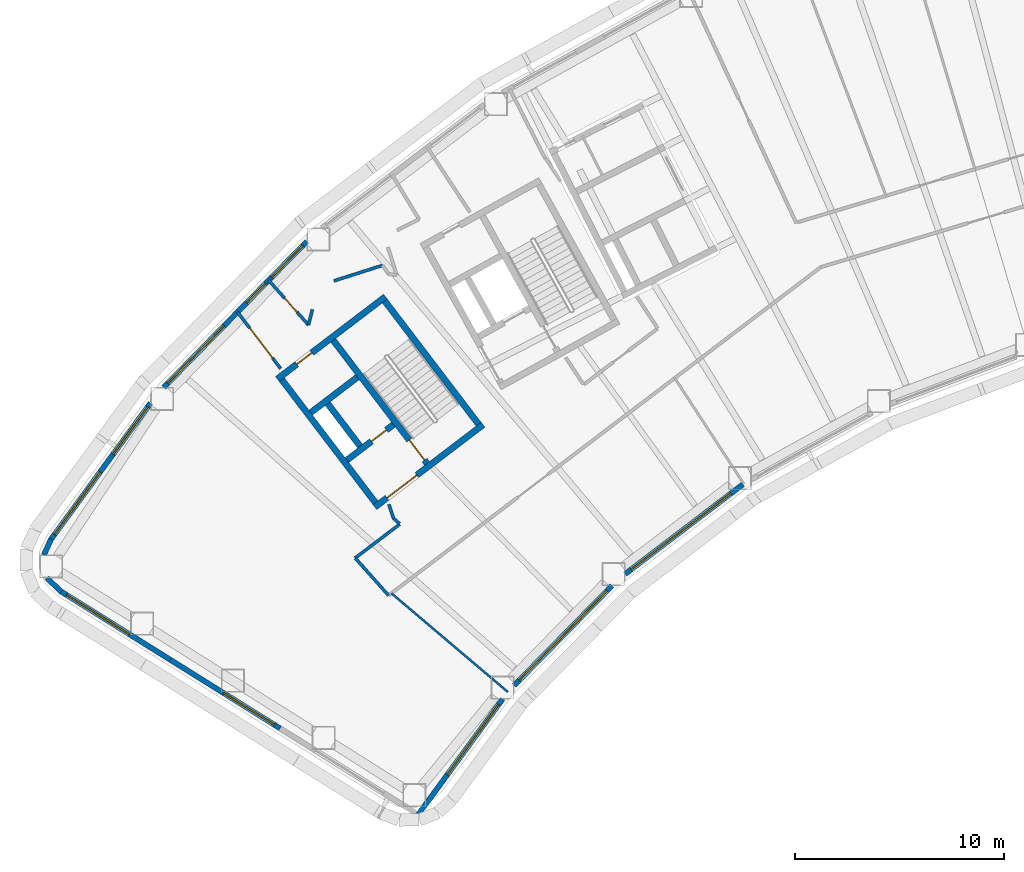
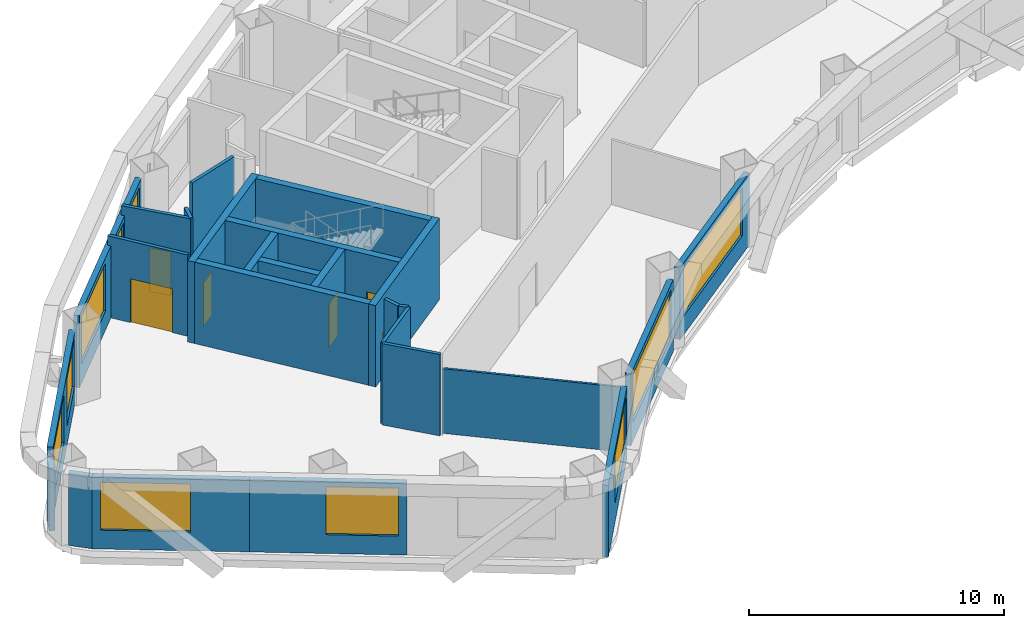
# One storey, part 3 of 16: 26 walls, 10 windows, 6 doors, 16 openings.
"""IFC4 building model written with IfcOpenShell, lengths in metres."""

import ifcopenshell
import ifcopenshell.guid

model = None  # the IFC model being written
_history = None  # IfcOwnerHistory: only IFC2X3 demands one
_inside = {}  # id of a spatial element -> (the spatial element, [elements in it])
_under = {}  # id of a project, library or spatial element -> (it, [spatial elements below it])
_declared = {}  # id of a project -> (the project, [libraries it declares])
_typed = {}  # id of a type object -> (the type object, [elements of that type])
_made_of = {}  # id of a material, layer set ... -> (it, [elements and type objects made of it])


def new_model(schema):
    """Start an empty IFC model of exactly this schema.

    Asked for "IFC4X3", IfcOpenShell would pick the latest addendum, in which some entities
    have other attributes; the version numbers below select the first issue.
    IFC2X3 requires an IfcOwnerHistory on every rooted entity: one is made here for all.
    """
    global model, _history
    if schema == "IFC4X3":
        model = ifcopenshell.file(schema_version=(4, 3, 0, 0))
    else:
        model = ifcopenshell.file(schema=schema)
    _inside.clear()
    _under.clear()
    _declared.clear()
    _typed.clear()
    _made_of.clear()
    _history = None
    if model.schema == "IFC2X3":
        org = make("IfcOrganization", Name="unknown")
        user = make(
            "IfcPersonAndOrganization",
            ThePerson=make("IfcPerson", FamilyName="unknown"),
            TheOrganization=org,
        )
        app = make(
            "IfcApplication",
            ApplicationDeveloper=org,
            Version="unknown",
            ApplicationFullName="unknown",
            ApplicationIdentifier="unknown",
        )
        _history = make(
            "IfcOwnerHistory",
            OwningUser=user,
            OwningApplication=app,
            ChangeAction="ADDED",
            CreationDate=0,
        )
    return model


def make(cls, **values):
    """One entity of the class cls with the attributes given. An attribute that is None is left unset."""
    return model.create_entity(
        cls, **{name: value for name, value in values.items() if value is not None}
    )


def rooted(cls, **values):
    """An entity with a GlobalId (a new one), such as an element, a storey or a relation."""
    return make(cls, GlobalId=ifcopenshell.guid.new(), OwnerHistory=_history, **values)


def si_unit(unit_type, name, prefix=None):
    """IfcSIUnit, for example si_unit("LENGTHUNIT", "METRE", prefix="MILLI")."""
    return make("IfcSIUnit", UnitType=unit_type, Prefix=prefix, Name=name)


def assignment(units):
    """IfcUnitAssignment: the units of a project."""
    return None if units is None else make("IfcUnitAssignment", Units=units)


def point(xyz):
    """IfcCartesianPoint."""
    return None if xyz is None else make("IfcCartesianPoint", Coordinates=xyz)


def direction(xyz):
    """IfcDirection."""
    return None if xyz is None else make("IfcDirection", DirectionRatios=xyz)


def frame(location, z_axis=None, x_axis=None):
    """IfcAxis2Placement3D, a coordinate frame: its origin and axes. An axis left out is left unset."""
    return make(
        "IfcAxis2Placement3D",
        Location=point(location),
        Axis=direction(z_axis),
        RefDirection=direction(x_axis),
    )


def frame_2d(location, x_axis=None):
    """IfcAxis2Placement2D, a coordinate frame in the plane: its origin and x axis."""
    return make(
        "IfcAxis2Placement2D", Location=point(location), RefDirection=direction(x_axis)
    )


def origin():
    """The frame at (0, 0, 0) with its axes left unset."""
    return frame((0.0, 0.0, 0.0))


def place(relative_to, where):
    """IfcLocalPlacement: puts the frame where relative to a parent placement (None: the world)."""
    return make(
        "IfcLocalPlacement", PlacementRelTo=relative_to, RelativePlacement=where
    )


def context(
    kind, dimensions, precision=None, world=None, true_north=None, identifier=None
):
    """IfcGeometricRepresentationContext, for example the 3D "Model" context."""
    return make(
        "IfcGeometricRepresentationContext",
        ContextIdentifier=identifier,
        ContextType=kind,
        CoordinateSpaceDimension=dimensions,
        Precision=precision,
        WorldCoordinateSystem=world,
        TrueNorth=true_north,
    )


def subcontext(parent, identifier, kind, view, scale=None):
    """IfcGeometricRepresentationSubContext, for example "Body" below "Model"."""
    return make(
        "IfcGeometricRepresentationSubContext",
        ContextIdentifier=identifier,
        ContextType=kind,
        ParentContext=parent,
        TargetScale=scale,
        TargetView=view,
    )


def project(units=None, contexts=None):
    """IfcProject with its units and contexts."""
    return rooted(
        "IfcProject",
        Name="project",
        RepresentationContexts=contexts,
        UnitsInContext=assignment(units),
    )


def spatial(cls, under=None, at=None, **own):
    """A site, building, storey or space (cls), placed at a placement, below another one or the project."""
    s = rooted(cls, ObjectPlacement=at, **own)
    if under is not None:
        _under.setdefault(under.id(), (under, []))[1].append(s)
    return s


def profile(cls, at=None, kind="AREA", **sizes):
    """A parametric profile (cls). Its sizes go by their IFC names, for example OverallWidth=200.0."""
    return make(cls, ProfileType=kind, Position=at, **sizes)


def rectangle(**sizes):
    """IfcRectangleProfileDef."""
    return profile("IfcRectangleProfileDef", **sizes)


def extrude(swept, where, along, depth):
    """IfcExtrudedAreaSolid: the profile swept, set in the frame where, extruded along a direction by depth."""
    return make(
        "IfcExtrudedAreaSolid",
        SweptArea=swept,
        Position=where,
        ExtrudedDirection=direction(along),
        Depth=depth,
    )


def shape(context_of_items, identifier, shape_type, items):
    """IfcShapeRepresentation: the items that make up one representation, for example the "Body"."""
    return make(
        "IfcShapeRepresentation",
        ContextOfItems=context_of_items,
        RepresentationIdentifier=identifier,
        RepresentationType=shape_type,
        Items=items,
    )


def material(Name=None, Category=None):
    """IfcMaterial."""
    return make("IfcMaterial", Name=Name, Category=Category)


def layer(
    of_material, thickness, ventilated=None, Name=None, Category=None, Priority=None
):
    """IfcMaterialLayer: one layer of a wall or slab, of a material (None: an air gap)."""
    return make(
        "IfcMaterialLayer",
        Material=of_material,
        LayerThickness=thickness,
        IsVentilated=ventilated,
        Name=Name,
        Category=Category,
        Priority=Priority,
    )


def layer_set(layers, Name=None):
    """IfcMaterialLayerSet."""
    return make("IfcMaterialLayerSet", MaterialLayers=layers, LayerSetName=Name)


def made_of(thing, what):
    """Note that an element or type object is made of a material, layer set ...; save() writes the relation."""
    if what is not None:
        _made_of.setdefault(what.id(), (what, []))[1].append(thing)
    return thing


def type_object(cls, material=None, **own):
    """A type object (cls), such as IfcWallType, which elements share."""
    return made_of(rooted(cls, **own), material)


def element(
    cls,
    number,
    at=None,
    inside=None,
    cuts=None,
    type_object=None,
    material=None,
    context=None,
    identifier="Body",
    shape_type=None,
    held_by="IfcProductDefinitionShape",
    body=None,
    shapes=None,
    **own,
):
    """One element of the class cls, such as IfcWall. Its Tag is "e" and its number.

    at: its placement. inside: the storey or other place that contains it. cuts: it is an
    opening in that element (IfcRelVoidsElement). A single representation is given by context,
    identifier, shape_type and body (its items); several are given by shapes. held_by: the class
    of the entity that holds the representations. save() writes the other relations.
    """
    e = rooted(cls, Tag="e%d" % number, ObjectPlacement=at, **own)
    if body is not None:
        shapes = [shape(context, identifier, shape_type, body)]
    if shapes is not None:
        e.Representation = make(held_by, Representations=shapes)
    if inside is not None:
        _inside.setdefault(inside.id(), (inside, []))[1].append(e)
    if cuts is not None:
        rooted(
            "IfcRelVoidsElement", RelatingBuildingElement=cuts, RelatedOpeningElement=e
        )
    if type_object is not None:
        _typed.setdefault(type_object.id(), (type_object, []))[1].append(e)
    return made_of(e, material)


def fill(opening, filler):
    """IfcRelFillsElement: the door or window that sits in an opening."""
    return rooted(
        "IfcRelFillsElement",
        RelatingOpeningElement=opening,
        RelatedBuildingElement=filler,
    )


def aggregate(whole, parts):
    """IfcRelAggregates: a whole, such as a stair, and the parts it consists of."""
    return rooted("IfcRelAggregates", RelatingObject=whole, RelatedObjects=parts)


def save(model, path):
    """Write the relations noted so far, then the file.

    IfcRelAggregates (storeys below a building ...), IfcRelContainedInSpatialStructure (elements
    in a storey), IfcRelDefinesByType, IfcRelAssociatesMaterial and IfcRelDeclares: one each for
    every whole, place, type object, material and project.
    """
    for whole, parts in _under.values():
        aggregate(whole, parts)
    for where, things in _inside.values():
        rooted(
            "IfcRelContainedInSpatialStructure",
            RelatedElements=things,
            RelatingStructure=where,
        )
    for kind, things in _typed.values():
        rooted("IfcRelDefinesByType", RelatedObjects=things, RelatingType=kind)
    for what, things in _made_of.values():
        rooted("IfcRelAssociatesMaterial", RelatedObjects=things, RelatingMaterial=what)
    for by, libraries in _declared.values():
        rooted("IfcRelDeclares", RelatingContext=by, RelatedDefinitions=libraries)
    model.write(path)


model = new_model("IFC4")

# Units and contexts
model_context = context("Model", 3, precision=1e-05, world=origin(), true_north=direction((0.0, 1.0)))
body_context = subcontext(model_context, "Body", "Model", "MODEL_VIEW")
ifc_project = project(units=[si_unit("LENGTHUNIT", "METRE"), si_unit("AREAUNIT", "SQUARE_METRE"), si_unit("VOLUMEUNIT", "CUBIC_METRE"), si_unit("PLANEANGLEUNIT", "RADIAN"), si_unit("MASSUNIT", "GRAM", prefix="KILO")], contexts=[model_context])

# Site, building, storey
site_placement = place(None, origin())
site = spatial("IfcSite", under=ifc_project, at=site_placement, CompositionType="ELEMENT")
building_placement = place(site_placement, origin())
building = spatial("IfcBuilding", under=site, at=building_placement, Name="Tuul Gate Civic Tower", CompositionType="ELEMENT")
storey_placement = place(building_placement, frame((0.0, 0.0, 124.5)))
storey = spatial("IfcBuildingStorey", under=building, at=storey_placement, Name="Level 28", CompositionType="ELEMENT", Elevation=124.5)

# Wall, opening, door
ifc_material_1 = material(Name="Concrete C50/60", Category="concrete")
ifc_layer_1 = layer(ifc_material_1, 0.300048828125)
ifc_layer_set_1 = layer_set([ifc_layer_1], Name="Concrete C50/60")
wall_type_1 = type_object("IfcWallType", Name="Core wall C50/60", PredefinedType="SHEAR", material=ifc_layer_set_1)
wall_1_placement = place(storey_placement, frame((-31.19091796875, -13.669677734375, 0.0), z_axis=(0.0, 0.0, 1.0), x_axis=(-0.795606717756, -0.605813461934, 0.0)))
wall_1 = element("IfcWall", 1, at=wall_1_placement, inside=storey, type_object=wall_type_1, Name="Core wall", PredefinedType="SHEAR", context=body_context, shape_type="SweptSolid", body=[
    extrude(rectangle(XDim=6.5, YDim=0.300048828125, at=frame_2d((3.25, 0.0))), origin(), (0.0, 0.0, 1.0), 3.89990234375),
])
opening_1_placement = place(wall_1_placement, frame((3.97509765625, 0.0, 0.0)))
opening_1 = element("IfcOpeningElement", 2, at=opening_1_placement, cuts=wall_1, Name="Opening LB-W1-LOBBY-1", PredefinedType="OPENING", context=body_context, shape_type="SweptSolid", body=[
    extrude(rectangle(XDim=1.800048828125, YDim=2.10009765625, at=frame_2d((0.89990234375, 1.050048828125))), frame((0.0, 0.16015625, 0.0), z_axis=(0.0, -1.0, 0.0), x_axis=(1.0, 0.0, 0.0)), (0.0, 0.0, 1.0), 0.320068359375),
])
ifc_material_2 = material(Name="Steel", Category="steel")
door_type_1 = type_object("IfcDoorType", Name="Lobby door", OperationType="DOUBLE_DOOR_SINGLE_SWING", PredefinedType="DOOR", material=ifc_material_2)
door_1_placement = place(opening_1_placement, origin())
door_1 = element("IfcDoor", 3, at=door_1_placement, inside=storey, type_object=door_type_1, Name="Lobby door W1-LOBBY", OperationType="DOUBLE_DOOR_SINGLE_SWING", OverallHeight=2.10009765625, OverallWidth=1.800048828125, PredefinedType="DOOR", context=body_context, shape_type="SweptSolid", body=[
    extrude(rectangle(XDim=1.800048828125, YDim=2.10009765625, at=frame_2d((0.89990234375, 1.050048828125))), frame((0.0, 0.02490234375, 0.0), z_axis=(0.0, -1.0, 0.0), x_axis=(1.0, 0.0, 0.0)), (0.0, 0.0, 1.0), 0.050048828125),
])
fill(opening_1, door_1)

wall_2_placement = place(storey_placement, frame((-35.470947265625, -13.66064453125, 0.0), z_axis=(0.0, 0.0, 1.0), x_axis=(-0.795615822227, -0.605801504968, 0.0)))
wall_2 = element("IfcWall", 4, at=wall_2_placement, inside=storey, type_object=wall_type_1, Name="Core wall", PredefinedType="SHEAR", context=body_context, shape_type="SweptSolid", body=[
    extrude(rectangle(XDim=2.800048828125, YDim=0.300048828125, at=frame_2d((1.39990234375, 0.0))), origin(), (0.0, 0.0, 1.0), 3.89990234375),
])
opening_2_placement = place(wall_2_placement, frame((0.425048828125, 0.0, 0.0)))
opening_2 = element("IfcOpeningElement", 5, at=opening_2_placement, cuts=wall_2, Name="Opening FB-W1A1", PredefinedType="OPENING", context=body_context, shape_type="SweptSolid", body=[
    extrude(rectangle(XDim=0.89990234375, YDim=2.10009765625, at=frame_2d((0.449951171875, 1.050048828125))), frame((0.0, 0.16015625, 0.0), z_axis=(0.0, -1.0, 0.0), x_axis=(1.0, 0.0, 0.0)), (0.0, 0.0, 1.0), 0.320068359375),
])
ifc_material_3 = material(Name="Steel", Category="steel")
door_type_2 = type_object("IfcDoorType", Name="Store door", OperationType="NOTDEFINED", PredefinedType="DOOR", material=ifc_material_3)
door_2_placement = place(opening_2_placement, frame((0.89990234375, 0.0, 0.0), z_axis=(0.0, 0.0, 1.0), x_axis=(-1.0, 0.0, 0.0)))
door_2 = element("IfcDoor", 6, at=door_2_placement, inside=storey, type_object=door_type_2, Name="Store door W1A1", OperationType="SINGLE_SWING_RIGHT", OverallHeight=2.10009765625, OverallWidth=0.89990234375, PredefinedType="DOOR", context=body_context, shape_type="SweptSolid", body=[
    extrude(rectangle(XDim=0.89990234375, YDim=2.10009765625, at=frame_2d((0.449951171875, 1.050048828125))), frame((0.0, 0.02490234375, 0.0), z_axis=(0.0, -1.0, 0.0), x_axis=(1.0, 0.0, 0.0)), (0.0, 0.0, 1.0), 0.050048828125),
])
fill(opening_2, door_2)

# Wall
wall_3_placement = place(storey_placement, frame((-37.197509765625, -11.39306640625, 0.0), z_axis=(0.0, 0.0, 1.0), x_axis=(-0.795583820278, -0.605843531707, 0.0)))
element("IfcWall", 7, at=wall_3_placement, inside=storey, type_object=wall_type_1, Name="Core wall", PredefinedType="SHEAR", context=body_context, shape_type="SweptSolid", body=[
    extrude(rectangle(XDim=2.7998046875, YDim=0.300048828125, at=frame_2d((1.39990234375, 0.0))), origin(), (0.0, 0.0, 1.0), 3.89990234375),
])

# Wall, opening, door
wall_4_placement = place(storey_placement, frame((-35.855224609375, -7.543212890625, 0.0), z_axis=(0.0, 0.0, 1.0), x_axis=(-0.79563860527, -0.605771582202, 0.0)))
wall_4 = element("IfcWall", 8, at=wall_4_placement, inside=storey, type_object=wall_type_1, Name="Core wall", PredefinedType="SHEAR", context=body_context, shape_type="SweptSolid", body=[
    extrude(rectangle(XDim=6.5, YDim=0.300048828125, at=frame_2d((3.25, 0.0))), origin(), (0.0, 0.0, 1.0), 3.89990234375),
])
opening_3_placement = place(wall_4_placement, frame((4.425048828125, 0.0, 0.0)))
opening_3 = element("IfcOpeningElement", 9, at=opening_3_placement, cuts=wall_4, Name="Opening I-D26", PredefinedType="OPENING", context=body_context, shape_type="SweptSolid", body=[
    extrude(rectangle(XDim=0.89990234375, YDim=2.10009765625, at=frame_2d((0.449951171875, 1.050048828125))), frame((0.0, 0.16015625, 0.0), z_axis=(0.0, -1.0, 0.0), x_axis=(1.0, 0.0, 0.0)), (0.0, 0.0, 1.0), 0.320068359375),
])
ifc_material_4 = material(Name="Timber door leaf", Category="wood")
door_type_3 = type_object("IfcDoorType", Name="Door D09", OperationType="NOTDEFINED", PredefinedType="DOOR", material=ifc_material_4)
door_3_placement = place(opening_3_placement, origin())
door_3 = element("IfcDoor", 10, at=door_3_placement, inside=storey, type_object=door_type_3, Name="Door I-D26", OperationType="SINGLE_SWING_LEFT", OverallHeight=2.10009765625, OverallWidth=0.89990234375, PredefinedType="DOOR", context=body_context, shape_type="SweptSolid", body=[
    extrude(rectangle(XDim=0.89990234375, YDim=2.10009765625, at=frame_2d((0.449951171875, 1.050048828125))), frame((0.0, 0.02490234375, 0.0), z_axis=(0.0, -1.0, 0.0), x_axis=(1.0, 0.0, 0.0)), (0.0, 0.0, 1.0), 0.050048828125),
])
fill(opening_3, door_3)

# Wall
wall_5_placement = place(storey_placement, frame((-31.401123046875, -13.64111328125, 0.0), z_axis=(0.0, 0.0, 1.0), x_axis=(-0.605769822278, 0.795639945213, 0.0)))
element("IfcWall", 11, at=wall_5_placement, inside=storey, type_object=wall_type_1, Name="Core wall", PredefinedType="SHEAR", context=body_context, shape_type="SweptSolid", body=[
    extrude(rectangle(XDim=7.39990234375, YDim=0.300048828125, at=frame_2d((3.699951171875, 0.0))), origin(), (0.0, 0.0, 1.0), 3.89990234375),
])

# Wall, opening, door
wall_6_placement = place(storey_placement, frame((-33.867431640625, -15.51904296875, 0.0), z_axis=(0.0, 0.0, 1.0), x_axis=(-0.605769822278, 0.795639945213, 0.0)))
wall_6 = element("IfcWall", 12, at=wall_6_placement, inside=storey, type_object=wall_type_1, Name="Core wall", PredefinedType="SHEAR", context=body_context, shape_type="SweptSolid", body=[
    extrude(rectangle(XDim=7.39990234375, YDim=0.300048828125, at=frame_2d((3.699951171875, 0.0))), origin(), (0.0, 0.0, 1.0), 3.89990234375),
])
opening_4_placement = place(wall_6_placement, frame((0.199951171875, 0.0, 0.0)))
opening_4 = element("IfcOpeningElement", 13, at=opening_4_placement, cuts=wall_6, Name="Opening SD-ST-1", PredefinedType="OPENING", context=body_context, shape_type="SweptSolid", body=[
    extrude(rectangle(XDim=1.199951171875, YDim=2.10009765625, at=frame_2d((0.60009765625, 1.050048828125))), frame((0.0, 0.16015625, 0.0), z_axis=(0.0, -1.0, 0.0), x_axis=(1.0, 0.0, 0.0)), (0.0, 0.0, 1.0), 0.320068359375),
])
ifc_material_5 = material(Name="Steel", Category="steel")
door_type_4 = type_object("IfcDoorType", Name="Stair door", OperationType="NOTDEFINED", PredefinedType="DOOR", material=ifc_material_5)
door_4_placement = place(opening_4_placement, origin())
door_4 = element("IfcDoor", 14, at=door_4_placement, inside=storey, type_object=door_type_4, Name="Stair door ST-1", OperationType="SINGLE_SWING_LEFT", OverallHeight=2.10009765625, OverallWidth=1.199951171875, PredefinedType="DOOR", context=body_context, shape_type="SweptSolid", body=[
    extrude(rectangle(XDim=1.199951171875, YDim=2.10009765625, at=frame_2d((0.60009765625, 1.050048828125))), frame((0.0, 0.02490234375, 0.0), z_axis=(0.0, -1.0, 0.0), x_axis=(1.0, 0.0, 0.0)), (0.0, 0.0, 1.0), 0.050048828125),
])
fill(opening_4, door_4)

# Walls
wall_7_placement = place(storey_placement, frame((-37.073486328125, -14.6923828125, 0.0), z_axis=(0.0, 0.0, 1.0), x_axis=(-0.605728760074, 0.79567120673, 0.0)))
element("IfcWall", 15, at=wall_7_placement, inside=storey, type_object=wall_type_1, Name="Core wall", PredefinedType="SHEAR", context=body_context, shape_type="SweptSolid", body=[
    extrude(rectangle(XDim=2.550048828125, YDim=0.300048828125, at=frame_2d((1.27490234375, 0.0))), origin(), (0.0, 0.0, 1.0), 3.89990234375),
])
wall_8_placement = place(storey_placement, frame((-36.333984375, -17.397216796875, 0.0), z_axis=(0.0, 0.0, 1.0), x_axis=(-0.605753921168, 0.795652051458, 0.0)))
element("IfcWall", 16, at=wall_8_placement, inside=storey, type_object=wall_type_1, Name="Core wall", PredefinedType="SHEAR", context=body_context, shape_type="SweptSolid", body=[
    extrude(rectangle(XDim=7.400146484375, YDim=0.300048828125, at=frame_2d((3.7001953125, 0.0))), origin(), (0.0, 0.0, 1.0), 3.89990234375),
])
ifc_material_6 = material(Name="Gypsum board partition")
ifc_layer_2 = layer(ifc_material_6, 0.14990234375)
ifc_layer_set_2 = layer_set([ifc_layer_2], Name="Gypsum board partition")
wall_type_2 = type_object("IfcWallType", Name="Corridor wall P150", PredefinedType="PARTITIONING", material=ifc_layer_set_2)
wall_9_placement = place(storey_placement, frame((-37.302978515625, -20.042236328125, 0.0), z_axis=(0.0, 0.0, 1.0), x_axis=(0.796666926705, 0.604418570111, 0.0)))
element("IfcWall", 17, at=wall_9_placement, inside=storey, type_object=wall_type_2, Name="p071", PredefinedType="PARTITIONING", context=body_context, shape_type="SweptSolid", body=[
    extrude(rectangle(XDim=2.664306640625, YDim=0.14990234375, at=frame_2d((1.33203125, 0.0))), origin(), (0.0, 0.0, 1.0), 3.89990234375),
])
wall_10_placement = place(storey_placement, frame((-38.320556640625, -6.78662109375, 0.0), z_axis=(0.0, 0.0, 1.0), x_axis=(0.952869256912, 0.303381244036, 0.0)))
element("IfcWall", 18, at=wall_10_placement, inside=storey, type_object=wall_type_2, Name="p084", PredefinedType="PARTITIONING", context=body_context, shape_type="SweptSolid", body=[
    extrude(rectangle(XDim=2.43994140625, YDim=0.14990234375, at=frame_2d((1.219970703125, 0.0))), origin(), (0.0, 0.0, 1.0), 3.89990234375),
])
wall_11_placement = place(storey_placement, frame((-39.53515625, -8.898193359375, 0.0), z_axis=(0.0, 0.0, 1.0), x_axis=(0.240964531044, 0.970533922529, 0.0)))
element("IfcWall", 19, at=wall_11_placement, inside=storey, type_object=wall_type_2, Name="p085", PredefinedType="PARTITIONING", context=body_context, shape_type="SweptSolid", body=[
    extrude(rectangle(XDim=0.76806640625, YDim=0.14990234375, at=frame_2d((0.384033203125, 0.0))), origin(), (0.0, 0.0, 1.0), 3.89990234375),
])

# Wall, opening, door
wall_12_placement = place(storey_placement, frame((-41.444091796875, -6.75634765625, 0.0), z_axis=(0.0, 0.0, 1.0), x_axis=(0.665350937414, -0.746530729496, 0.0)))
wall_12 = element("IfcWall", 20, at=wall_12_placement, inside=storey, type_object=wall_type_2, Name="p086", PredefinedType="PARTITIONING", context=body_context, shape_type="SweptSolid", body=[
    extrude(rectangle(XDim=2.869140625, YDim=0.14990234375, at=frame_2d((1.4345703125, 0.0))), origin(), (0.0, 0.0, 1.0), 3.89990234375),
])
opening_5_placement = place(wall_12_placement, frame((1.14990234375, 0.0, 0.0)))
opening_5 = element("IfcOpeningElement", 21, at=opening_5_placement, cuts=wall_12, Name="Opening I-D18", PredefinedType="OPENING", context=body_context, shape_type="SweptSolid", body=[
    extrude(rectangle(XDim=0.89990234375, YDim=2.10009765625, at=frame_2d((0.449951171875, 1.050048828125))), frame((0.0, 0.0849609375, 0.0), z_axis=(0.0, -1.0, 0.0), x_axis=(1.0, 0.0, 0.0)), (0.0, 0.0, 1.0), 0.169921875),
])
door_5_placement = place(opening_5_placement, origin())
door_5 = element("IfcDoor", 22, at=door_5_placement, inside=storey, type_object=door_type_3, Name="Door I-D18", OperationType="SINGLE_SWING_RIGHT", OverallHeight=2.10009765625, OverallWidth=0.89990234375, PredefinedType="DOOR", context=body_context, shape_type="SweptSolid", body=[
    extrude(rectangle(XDim=0.89990234375, YDim=2.10009765625, at=frame_2d((0.449951171875, 1.050048828125))), frame((0.0, 0.02490234375, 0.0), z_axis=(0.0, -1.0, 0.0), x_axis=(1.0, 0.0, 0.0)), (0.0, 0.0, 1.0), 0.050048828125),
])
fill(opening_5, door_5)

wall_13_placement = place(storey_placement, frame((-42.93359375, -8.276123046875, 0.0), z_axis=(0.0, 0.0, 1.0), x_axis=(0.606142580902, -0.795356003069, 0.0)))
wall_13 = element("IfcWall", 23, at=wall_13_placement, inside=storey, type_object=wall_type_2, Name="p088", PredefinedType="PARTITIONING", context=body_context, shape_type="SweptSolid", body=[
    extrude(rectangle(XDim=3.405029296875, YDim=0.14990234375, at=frame_2d((1.70263671875, 0.0))), origin(), (0.0, 0.0, 1.0), 3.89990234375),
])
opening_6_placement = place(wall_13_placement, frame((0.96923828125, 0.0, 0.0)))
opening_6 = element("IfcOpeningElement", 24, at=opening_6_placement, cuts=wall_13, Name="Opening I-D19", PredefinedType="OPENING", context=body_context, shape_type="SweptSolid", body=[
    extrude(rectangle(XDim=1.800048828125, YDim=2.10009765625, at=frame_2d((0.89990234375, 1.050048828125))), frame((0.0, 0.0849609375, 0.0), z_axis=(0.0, -1.0, 0.0), x_axis=(1.0, 0.0, 0.0)), (0.0, 0.0, 1.0), 0.169921875),
])
ifc_material_7 = material(Name="Timber door leaf, double", Category="wood")
door_type_5 = type_object("IfcDoorType", Name="Door D18", OperationType="DOUBLE_DOOR_SINGLE_SWING", PredefinedType="DOOR", material=ifc_material_7)
door_6_placement = place(opening_6_placement, frame((1.800048828125, 0.0, 0.0), z_axis=(0.0, 0.0, 1.0), x_axis=(-1.0, 0.0, 0.0)))
door_6 = element("IfcDoor", 25, at=door_6_placement, inside=storey, type_object=door_type_5, Name="Door I-D19", OperationType="DOUBLE_DOOR_SINGLE_SWING", OverallHeight=2.10009765625, OverallWidth=1.800048828125, PredefinedType="DOOR", context=body_context, shape_type="SweptSolid", body=[
    extrude(rectangle(XDim=1.800048828125, YDim=2.10009765625, at=frame_2d((0.900146484375, 1.050048828125))), frame((0.0, 0.02490234375, 0.0), z_axis=(0.0, -1.0, 0.0), x_axis=(1.0, 0.0, 0.0)), (0.0, 0.0, 1.0), 0.050048828125),
])
fill(opening_6, door_6)

# Walls
wall_14_placement = place(storey_placement, frame((-35.6953125, -17.4765625, 0.0), z_axis=(0.0, 0.0, 1.0), x_axis=(0.32338228212, -0.946268407806, 0.0)))
element("IfcWall", 26, at=wall_14_placement, inside=storey, type_object=wall_type_2, Name="p089", PredefinedType="PARTITIONING", context=body_context, shape_type="SweptSolid", body=[
    extrude(rectangle(XDim=0.7158203125, YDim=0.14990234375, at=frame_2d((0.35791015625, 0.0))), origin(), (0.0, 0.0, 1.0), 3.89990234375),
])
wall_15_placement = place(storey_placement, frame((-35.4638671875, -18.15380859375, 0.0), z_axis=(0.0, 0.0, 1.0), x_axis=(0.756501971182, -0.65399141248, 0.0)))
element("IfcWall", 27, at=wall_15_placement, inside=storey, type_object=wall_type_2, Name="p090", PredefinedType="PARTITIONING", context=body_context, shape_type="SweptSolid", body=[
    extrude(rectangle(XDim=0.376220703125, YDim=0.14990234375, at=frame_2d((0.18798828125, 0.0))), origin(), (0.0, 0.0, 1.0), 3.89990234375),
])
wall_16_placement = place(storey_placement, frame((-37.302978515625, -20.042236328125, 0.0), z_axis=(0.0, 0.0, 1.0), x_axis=(0.665190574905, -0.746673622848, 0.0)))
element("IfcWall", 28, at=wall_16_placement, inside=storey, type_object=wall_type_2, Name="p091", PredefinedType="PARTITIONING", context=body_context, shape_type="SweptSolid", body=[
    extrude(rectangle(XDim=2.39990234375, YDim=0.14990234375, at=frame_2d((1.199951171875, 0.0))), origin(), (0.0, 0.0, 1.0), 3.89990234375),
])

# Wall, openings, windows
ifc_material_8 = material(Name="Precast concrete C40/50", Category="concrete")
ifc_layer_3 = layer(ifc_material_8, 0.25)
ifc_layer_set_3 = layer_set([ifc_layer_3], Name="Precast concrete C40/50")
wall_type_3 = type_object("IfcWallType", Name="External wall", PredefinedType="STANDARD", material=ifc_layer_set_3)
wall_17_placement = place(storey_placement, frame((-39.618896484375, -4.901611328125, 0.0), z_axis=(0.0, 0.0, 1.0), x_axis=(-0.699999704783, -0.714143132224, 0.0)))
wall_17 = element("IfcWall", 29, at=wall_17_placement, inside=storey, type_object=wall_type_3, Name="External wall", PredefinedType="STANDARD", context=body_context, shape_type="SweptSolid", body=[
    extrude(rectangle(XDim=9.770263671875, YDim=0.25, at=frame_2d((4.88525390625, 0.0))), origin(), (0.0, 0.0, 1.0), 3.449951171875),
])
opening_7_placement = place(wall_17_placement, frame((5.64453125, 0.0, 0.89990234375)))
opening_7 = element("IfcOpeningElement", 30, at=opening_7_placement, cuts=wall_17, Name="Opening W22", PredefinedType="OPENING", context=body_context, shape_type="SweptSolid", body=[
    extrude(rectangle(XDim=3.85009765625, YDim=2.300048828125, at=frame_2d((1.925048828125, 1.14990234375))), frame((0.0, 0.135009765625, 0.0), z_axis=(0.0, -1.0, 0.0), x_axis=(1.0, 0.0, 0.0)), (0.0, 0.0, 1.0), 0.27001953125),
])
opening_8_placement = place(wall_17_placement, frame((0.28759765625, 0.0, 0.89990234375)))
opening_8 = element("IfcOpeningElement", 31, at=opening_8_placement, cuts=wall_17, Name="Opening W40", PredefinedType="OPENING", context=body_context, shape_type="SweptSolid", body=[
    extrude(rectangle(XDim=2.10009765625, YDim=2.300048828125, at=frame_2d((1.050048828125, 1.14990234375))), frame((0.0, 0.135009765625, 0.0), z_axis=(0.0, -1.0, 0.0), x_axis=(1.0, 0.0, 0.0)), (0.0, 0.0, 1.0), 0.27001953125),
])
opening_9_placement = place(wall_17_placement, frame((2.8125, 0.0, 0.89990234375)))
opening_9 = element("IfcOpeningElement", 32, at=opening_9_placement, cuts=wall_17, Name="Opening W41", PredefinedType="OPENING", context=body_context, shape_type="SweptSolid", body=[
    extrude(rectangle(XDim=1.300048828125, YDim=2.300048828125, at=frame_2d((0.64990234375, 1.14990234375))), frame((0.0, 0.135009765625, 0.0), z_axis=(0.0, -1.0, 0.0), x_axis=(1.0, 0.0, 0.0)), (0.0, 0.0, 1.0), 0.27001953125),
])
ifc_material_9 = material(Name="Glass", Category="glass")
window_type_1 = type_object("IfcWindowType", Name="Window 1300 x 2300", PartitioningType="SINGLE_PANEL", PredefinedType="WINDOW", material=ifc_material_9)
window_1_placement = place(opening_9_placement, origin())
window_1 = element("IfcWindow", 33, at=window_1_placement, inside=storey, type_object=window_type_1, Name="Window", OverallHeight=2.300048828125, OverallWidth=1.300048828125, PartitioningType="SINGLE_PANEL", PredefinedType="WINDOW", context=body_context, shape_type="SweptSolid", body=[
    extrude(rectangle(XDim=1.300048828125, YDim=2.300048828125, at=frame_2d((0.64990234375, 1.14990234375))), frame((0.0, 0.030029296875, 0.0), z_axis=(0.0, -1.0, 0.0), x_axis=(1.0, 0.0, 0.0)), (0.0, 0.0, 1.0), 0.06005859375),
])
fill(opening_9, window_1)
ifc_material_10 = material(Name="Glass", Category="glass")
window_type_2 = type_object("IfcWindowType", Name="Window 2100 x 2300", PartitioningType="SINGLE_PANEL", PredefinedType="WINDOW", material=ifc_material_10)
window_2_placement = place(opening_8_placement, origin())
window_2 = element("IfcWindow", 34, at=window_2_placement, inside=storey, type_object=window_type_2, Name="Window", OverallHeight=2.300048828125, OverallWidth=2.10009765625, PartitioningType="SINGLE_PANEL", PredefinedType="WINDOW", context=body_context, shape_type="SweptSolid", body=[
    extrude(rectangle(XDim=2.10009765625, YDim=2.300048828125, at=frame_2d((1.050048828125, 1.14990234375))), frame((0.0, 0.030029296875, 0.0), z_axis=(0.0, -1.0, 0.0), x_axis=(1.0, 0.0, 0.0)), (0.0, 0.0, 1.0), 0.06005859375),
])
fill(opening_8, window_2)
ifc_material_11 = material(Name="Glass", Category="glass")
window_type_3 = type_object("IfcWindowType", Name="Window W22 3850 x 2300", PartitioningType="SINGLE_PANEL", PredefinedType="WINDOW", material=ifc_material_11)
window_3_placement = place(opening_7_placement, origin())
window_3 = element("IfcWindow", 35, at=window_3_placement, inside=storey, type_object=window_type_3, Name="Window", OverallHeight=2.300048828125, OverallWidth=3.85009765625, PartitioningType="SINGLE_PANEL", PredefinedType="WINDOW", context=body_context, shape_type="SweptSolid", body=[
    extrude(rectangle(XDim=3.85009765625, YDim=2.300048828125, at=frame_2d((1.925048828125, 1.14990234375))), frame((0.0, 0.030029296875, 0.0), z_axis=(0.0, -1.0, 0.0), x_axis=(1.0, 0.0, 0.0)), (0.0, 0.0, 1.0), 0.06005859375),
])
fill(opening_7, window_3)

wall_18_placement = place(storey_placement, frame((-47.093017578125, -12.6318359375, 0.0), z_axis=(0.0, 0.0, 1.0), x_axis=(-0.589890871529, -0.807482977955, 0.0)))
wall_18 = element("IfcWall", 36, at=wall_18_placement, inside=storey, type_object=wall_type_3, Name="External wall", PredefinedType="STANDARD", context=body_context, shape_type="SweptSolid", body=[
    extrude(rectangle(XDim=8.0830078125, YDim=0.25, at=frame_2d((4.04150390625, 0.0))), origin(), (0.0, 0.0, 1.0), 3.449951171875),
])
opening_10_placement = place(wall_18_placement, frame((0.23046875, 0.0, 0.89990234375)))
opening_10 = element("IfcOpeningElement", 37, at=opening_10_placement, cuts=wall_18, Name="Opening W23", PredefinedType="OPENING", context=body_context, shape_type="SweptSolid", body=[
    extrude(rectangle(XDim=2.800048828125, YDim=2.300048828125, at=frame_2d((1.39990234375, 1.14990234375))), frame((0.0, 0.135009765625, 0.0), z_axis=(0.0, -1.0, 0.0), x_axis=(1.0, 0.0, 0.0)), (0.0, 0.0, 1.0), 0.27001953125),
])
opening_11_placement = place(wall_18_placement, frame((4.08203125, 0.0, 0.89990234375)))
opening_11 = element("IfcOpeningElement", 38, at=opening_11_placement, cuts=wall_18, Name="Opening W21", PredefinedType="OPENING", context=body_context, shape_type="SweptSolid", body=[
    extrude(rectangle(XDim=3.699951171875, YDim=2.300048828125, at=frame_2d((1.85009765625, 1.14990234375))), frame((0.0, 0.135009765625, 0.0), z_axis=(0.0, -1.0, 0.0), x_axis=(1.0, 0.0, 0.0)), (0.0, 0.0, 1.0), 0.27001953125),
])
ifc_material_12 = material(Name="Glass", Category="glass")
window_type_4 = type_object("IfcWindowType", Name="Window W21 3700 x 2300", PartitioningType="SINGLE_PANEL", PredefinedType="WINDOW", material=ifc_material_12)
window_4_placement = place(opening_11_placement, origin())
window_4 = element("IfcWindow", 39, at=window_4_placement, inside=storey, type_object=window_type_4, Name="Window", OverallHeight=2.300048828125, OverallWidth=3.699951171875, PartitioningType="SINGLE_PANEL", PredefinedType="WINDOW", context=body_context, shape_type="SweptSolid", body=[
    extrude(rectangle(XDim=3.699951171875, YDim=2.300048828125, at=frame_2d((1.85009765625, 1.14990234375))), frame((0.0, 0.030029296875, 0.0), z_axis=(0.0, -1.0, 0.0), x_axis=(1.0, 0.0, 0.0)), (0.0, 0.0, 1.0), 0.06005859375),
])
fill(opening_11, window_4)
ifc_material_13 = material(Name="Glass", Category="glass")
window_type_5 = type_object("IfcWindowType", Name="Window W23 2800 x 2300", PartitioningType="SINGLE_PANEL", PredefinedType="WINDOW", material=ifc_material_13)
window_5_placement = place(opening_10_placement, origin())
window_5 = element("IfcWindow", 40, at=window_5_placement, inside=storey, type_object=window_type_5, Name="Window", OverallHeight=2.300048828125, OverallWidth=2.800048828125, PartitioningType="SINGLE_PANEL", PredefinedType="WINDOW", context=body_context, shape_type="SweptSolid", body=[
    extrude(rectangle(XDim=2.800048828125, YDim=2.300048828125, at=frame_2d((1.39990234375, 1.14990234375))), frame((0.0, 0.030029296875, 0.0), z_axis=(0.0, -1.0, 0.0), x_axis=(1.0, 0.0, 0.0)), (0.0, 0.0, 1.0), 0.06005859375),
])
fill(opening_10, window_5)

# Wall
wall_19_placement = place(storey_placement, frame((-52.053466796875, -20.991943359375, 0.0), z_axis=(0.0, 0.0, 1.0), x_axis=(0.722104872767, -0.691783602527, 0.0)))
element("IfcWall", 41, at=wall_19_placement, inside=storey, type_object=wall_type_3, Name="External wall", PredefinedType="STANDARD", context=body_context, shape_type="SweptSolid", body=[
    extrude(rectangle(XDim=0.958251953125, YDim=0.25, at=frame_2d((0.47900390625, 0.0))), origin(), (0.0, 0.0, 1.0), 3.449951171875),
])

# Wall, opening, window
wall_20_placement = place(storey_placement, frame((-51.3818359375, -21.638916015625, 0.0), z_axis=(0.0, 0.0, 1.0), x_axis=(0.848053758074, -0.529910203164, 0.0)))
wall_20 = element("IfcWall", 42, at=wall_20_placement, inside=storey, type_object=wall_type_3, Name="External wall", PredefinedType="STANDARD", context=body_context, shape_type="SweptSolid", body=[
    extrude(rectangle(XDim=6.182861328125, YDim=0.25, at=frame_2d((3.09130859375, 0.0))), origin(), (0.0, 0.0, 1.0), 3.449951171875),
])
opening_12_placement = place(wall_20_placement, frame((0.322998046875, 0.0, 0.89990234375)))
opening_12 = element("IfcOpeningElement", 43, at=opening_12_placement, cuts=wall_20, Name="Opening W112", PredefinedType="OPENING", context=body_context, shape_type="SweptSolid", body=[
    extrude(rectangle(XDim=3.550048828125, YDim=2.300048828125, at=frame_2d((1.77490234375, 1.14990234375))), frame((0.0, 0.135009765625, 0.0), z_axis=(0.0, -1.0, 0.0), x_axis=(1.0, 0.0, 0.0)), (0.0, 0.0, 1.0), 0.27001953125),
])
ifc_material_14 = material(Name="Glass", Category="glass")
window_type_6 = type_object("IfcWindowType", Name="Window W112 3550 x 2300", PartitioningType="SINGLE_PANEL", PredefinedType="WINDOW", material=ifc_material_14)
window_6_placement = place(opening_12_placement, origin())
window_6 = element("IfcWindow", 44, at=window_6_placement, inside=storey, type_object=window_type_6, Name="Window", OverallHeight=2.300048828125, OverallWidth=3.550048828125, PartitioningType="SINGLE_PANEL", PredefinedType="WINDOW", context=body_context, shape_type="SweptSolid", body=[
    extrude(rectangle(XDim=3.550048828125, YDim=2.300048828125, at=frame_2d((1.77490234375, 1.14990234375))), frame((0.0, 0.030029296875, 0.0), z_axis=(0.0, -1.0, 0.0), x_axis=(1.0, 0.0, 0.0)), (0.0, 0.0, 1.0), 0.06005859375),
])
fill(opening_12, window_6)

wall_21_placement = place(storey_placement, frame((-46.138427734375, -24.915283203125, 0.0), z_axis=(0.0, 0.0, 1.0), x_axis=(0.848053758074, -0.529910203164, 0.0)))
wall_21 = element("IfcWall", 45, at=wall_21_placement, inside=storey, type_object=wall_type_3, Name="External wall", PredefinedType="STANDARD", context=body_context, shape_type="SweptSolid", body=[
    extrude(rectangle(XDim=6.182861328125, YDim=0.25, at=frame_2d((3.09130859375, 0.0))), origin(), (0.0, 0.0, 1.0), 3.449951171875),
])
opening_13_placement = place(wall_21_placement, frame((3.006103515625, 0.0, 0.89990234375)))
opening_13 = element("IfcOpeningElement", 46, at=opening_13_placement, cuts=wall_21, Name="Opening W68", PredefinedType="OPENING", context=body_context, shape_type="SweptSolid", body=[
    extrude(rectangle(XDim=2.85009765625, YDim=2.300048828125, at=frame_2d((1.425048828125, 1.14990234375))), frame((0.0, 0.135009765625, 0.0), z_axis=(0.0, -1.0, 0.0), x_axis=(1.0, 0.0, 0.0)), (0.0, 0.0, 1.0), 0.27001953125),
])
ifc_material_15 = material(Name="Glass", Category="glass")
window_type_7 = type_object("IfcWindowType", Name="Window 2850 x 2300", PartitioningType="SINGLE_PANEL", PredefinedType="WINDOW", material=ifc_material_15)
window_7_placement = place(opening_13_placement, origin())
window_7 = element("IfcWindow", 47, at=window_7_placement, inside=storey, type_object=window_type_7, Name="Window", OverallHeight=2.300048828125, OverallWidth=2.85009765625, PartitioningType="SINGLE_PANEL", PredefinedType="WINDOW", context=body_context, shape_type="SweptSolid", body=[
    extrude(rectangle(XDim=2.85009765625, YDim=2.300048828125, at=frame_2d((1.425048828125, 1.14990234375))), frame((0.0, 0.030029296875, 0.0), z_axis=(0.0, -1.0, 0.0), x_axis=(1.0, 0.0, 0.0)), (0.0, 0.0, 1.0), 0.06005859375),
])
fill(opening_13, window_7)

wall_22_placement = place(storey_placement, frame((-34.291015625, -32.318359375, 0.0), z_axis=(0.0, 0.0, 1.0), x_axis=(0.589868212008, 0.807499530936, 0.0)))
wall_22 = element("IfcWall", 48, at=wall_22_placement, inside=storey, type_object=wall_type_3, Name="External wall", PredefinedType="STANDARD", context=body_context, shape_type="SweptSolid", body=[
    extrude(rectangle(XDim=6.8486328125, YDim=0.25, at=frame_2d((3.42431640625, 0.0))), origin(), (0.0, 0.0, 1.0), 3.449951171875),
])
opening_14_placement = place(wall_22_placement, frame((2.356689453125, 0.0, 0.89990234375)))
opening_14 = element("IfcOpeningElement", 49, at=opening_14_placement, cuts=wall_22, Name="Opening W25", PredefinedType="OPENING", context=body_context, shape_type="SweptSolid", body=[
    extrude(rectangle(XDim=4.14990234375, YDim=2.300048828125, at=frame_2d((2.074951171875, 1.14990234375))), frame((0.0, 0.135009765625, 0.0), z_axis=(0.0, -1.0, 0.0), x_axis=(1.0, 0.0, 0.0)), (0.0, 0.0, 1.0), 0.27001953125),
])
ifc_material_16 = material(Name="Glass", Category="glass")
window_type_8 = type_object("IfcWindowType", Name="Window W25 4150 x 2300", PartitioningType="SINGLE_PANEL", PredefinedType="WINDOW", material=ifc_material_16)
window_8_placement = place(opening_14_placement, origin())
window_8 = element("IfcWindow", 50, at=window_8_placement, inside=storey, type_object=window_type_8, Name="Window", OverallHeight=2.300048828125, OverallWidth=4.14990234375, PartitioningType="SINGLE_PANEL", PredefinedType="WINDOW", context=body_context, shape_type="SweptSolid", body=[
    extrude(rectangle(XDim=4.14990234375, YDim=2.300048828125, at=frame_2d((2.074951171875, 1.14990234375))), frame((0.0, 0.030029296875, 0.0), z_axis=(0.0, -1.0, 0.0), x_axis=(1.0, 0.0, 0.0)), (0.0, 0.0, 1.0), 0.06005859375),
])
fill(opening_14, window_8)

wall_23_placement = place(storey_placement, frame((-29.701904296875, -26.141357421875, 0.0), z_axis=(0.0, 0.0, 1.0), x_axis=(0.700005324082, 0.714137624171, 0.0)))
wall_23 = element("IfcWall", 51, at=wall_23_placement, inside=storey, type_object=wall_type_3, Name="External wall", PredefinedType="STANDARD", context=body_context, shape_type="SweptSolid", body=[
    extrude(rectangle(XDim=6.685546875, YDim=0.25, at=frame_2d((3.3427734375, 0.0))), origin(), (0.0, 0.0, 1.0), 3.449951171875),
])
opening_15_placement = place(wall_23_placement, frame((0.341552734375, 0.0, 0.89990234375)))
opening_15 = element("IfcOpeningElement", 52, at=opening_15_placement, cuts=wall_23, Name="Opening W26", PredefinedType="OPENING", context=body_context, shape_type="SweptSolid", body=[
    extrude(rectangle(XDim=6.0, YDim=2.300048828125, at=frame_2d((3.0, 1.14990234375))), frame((0.0, 0.135009765625, 0.0), z_axis=(0.0, -1.0, 0.0), x_axis=(1.0, 0.0, 0.0)), (0.0, 0.0, 1.0), 0.27001953125),
])
ifc_material_17 = material(Name="Glass", Category="glass")
window_type_9 = type_object("IfcWindowType", Name="Window W26 6000 x 2300", PartitioningType="SINGLE_PANEL", PredefinedType="WINDOW", material=ifc_material_17)
window_9_placement = place(opening_15_placement, origin())
window_9 = element("IfcWindow", 53, at=window_9_placement, inside=storey, type_object=window_type_9, Name="Window", OverallHeight=2.300048828125, OverallWidth=6.0, PartitioningType="SINGLE_PANEL", PredefinedType="WINDOW", context=body_context, shape_type="SweptSolid", body=[
    extrude(rectangle(XDim=6.0, YDim=2.300048828125, at=frame_2d((3.0, 1.14990234375))), frame((0.0, 0.030029296875, 0.0), z_axis=(0.0, -1.0, 0.0), x_axis=(1.0, 0.0, 0.0)), (0.0, 0.0, 1.0), 0.06005859375),
])
fill(opening_15, window_9)

wall_24_placement = place(storey_placement, frame((-24.387939453125, -20.806640625, 0.0), z_axis=(0.0, 0.0, 1.0), x_axis=(0.79558062628, 0.60584772599, 0.0)))
wall_24 = element("IfcWall", 54, at=wall_24_placement, inside=storey, type_object=wall_type_3, Name="External wall", PredefinedType="STANDARD", context=body_context, shape_type="SweptSolid", body=[
    extrude(rectangle(XDim=7.07470703125, YDim=0.25, at=frame_2d((3.537353515625, 0.0))), origin(), (0.0, 0.0, 1.0), 3.449951171875),
])
opening_16_placement = place(wall_24_placement, frame((0.3525390625, 0.0, 0.89990234375)))
opening_16 = element("IfcOpeningElement", 55, at=opening_16_placement, cuts=wall_24, Name="Opening W26", PredefinedType="OPENING", context=body_context, shape_type="SweptSolid", body=[
    extrude(rectangle(XDim=6.0, YDim=2.300048828125, at=frame_2d((3.0, 1.14990234375))), frame((0.0, 0.135009765625, 0.0), z_axis=(0.0, -1.0, 0.0), x_axis=(1.0, 0.0, 0.0)), (0.0, 0.0, 1.0), 0.27001953125),
])
window_10_placement = place(opening_16_placement, origin())
window_10 = element("IfcWindow", 56, at=window_10_placement, inside=storey, type_object=window_type_9, Name="Window", OverallHeight=2.300048828125, OverallWidth=6.0, PartitioningType="SINGLE_PANEL", PredefinedType="WINDOW", context=body_context, shape_type="SweptSolid", body=[
    extrude(rectangle(XDim=6.0, YDim=2.300048828125, at=frame_2d((3.0, 1.14990234375))), frame((0.0, 0.030029296875, 0.0), z_axis=(0.0, -1.0, 0.0), x_axis=(1.0, 0.0, 0.0)), (0.0, 0.0, 1.0), 0.06005859375),
])
fill(opening_16, window_10)

# Walls
ifc_material_18 = material(Name="Precast concrete C40/50", Category="concrete")
ifc_layer_4 = layer(ifc_material_18, 0.25)
ifc_layer_set_4 = layer_set([ifc_layer_4], Name="Precast concrete C40/50")
wall_type_4 = type_object("IfcWallType", Name="External wall 3000 HIGH", PredefinedType="STANDARD", material=ifc_layer_set_4)
wall_25_placement = place(storey_placement, frame((-51.84814453125, -19.136474609375, 0.0), z_axis=(0.0, 0.0, 1.0), x_axis=(-0.411894351911, -0.911231607696, 0.0)))
element("IfcWall", 57, at=wall_25_placement, inside=storey, type_object=wall_type_4, Name="External wall", PredefinedType="STANDARD", context=body_context, shape_type="SweptSolid", body=[
    extrude(rectangle(XDim=0.829345703125, YDim=0.25, at=frame_2d((0.41455078125, 0.0))), origin(), (0.0, 0.0, 1.0), 3.0),
])
ifc_material_19 = material(Name="Gypsum board partition")
ifc_layer_5 = layer(ifc_material_19, 0.10009765625)
ifc_layer_set_5 = layer_set([ifc_layer_5], Name="Gypsum board partition")
wall_type_5 = type_object("IfcWallType", Name="Partition P100 3100 HIGH", PredefinedType="PARTITIONING", material=ifc_layer_set_5)
wall_26_placement = place(storey_placement, frame((-35.570068359375, -21.730712890625, 0.0), z_axis=(0.0, 0.0, 1.0), x_axis=(0.762839417158, -0.646587985993, 0.0)))
element("IfcWall", 58, at=wall_26_placement, inside=storey, type_object=wall_type_5, Name="p087", PredefinedType="PARTITIONING", context=body_context, shape_type="SweptSolid", body=[
    extrude(rectangle(XDim=7.302001953125, YDim=0.10009765625, at=frame_2d((3.65087890625, 0.0))), origin(), (0.0, 0.0, 1.0), 3.10009765625),
])

save(model, "model.ifc")
